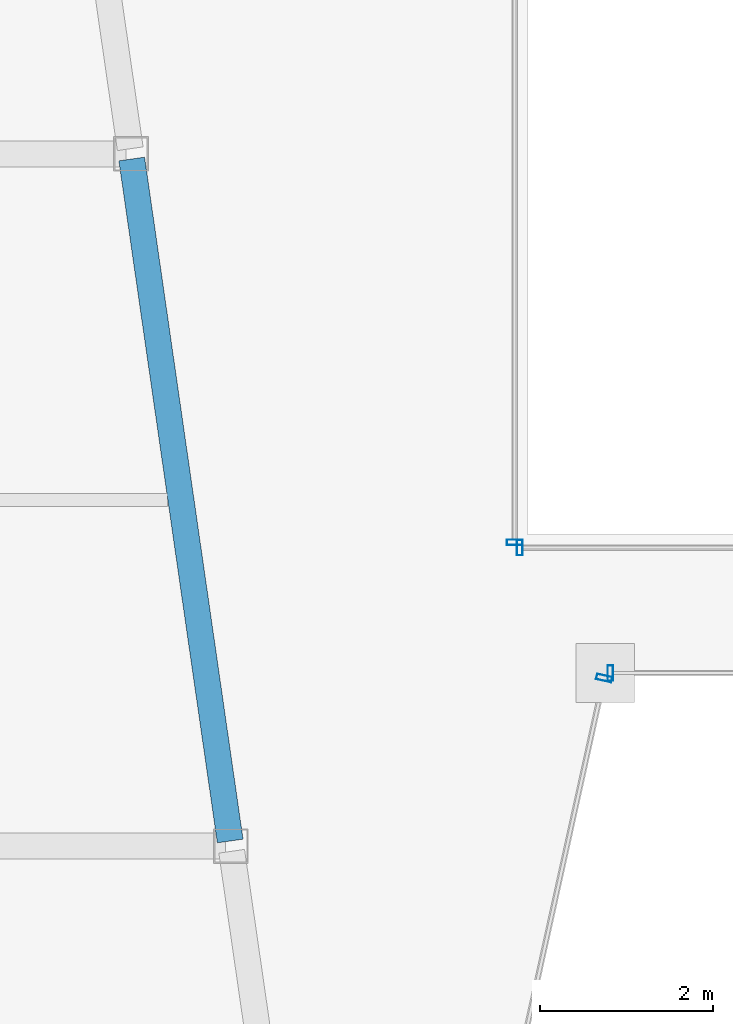
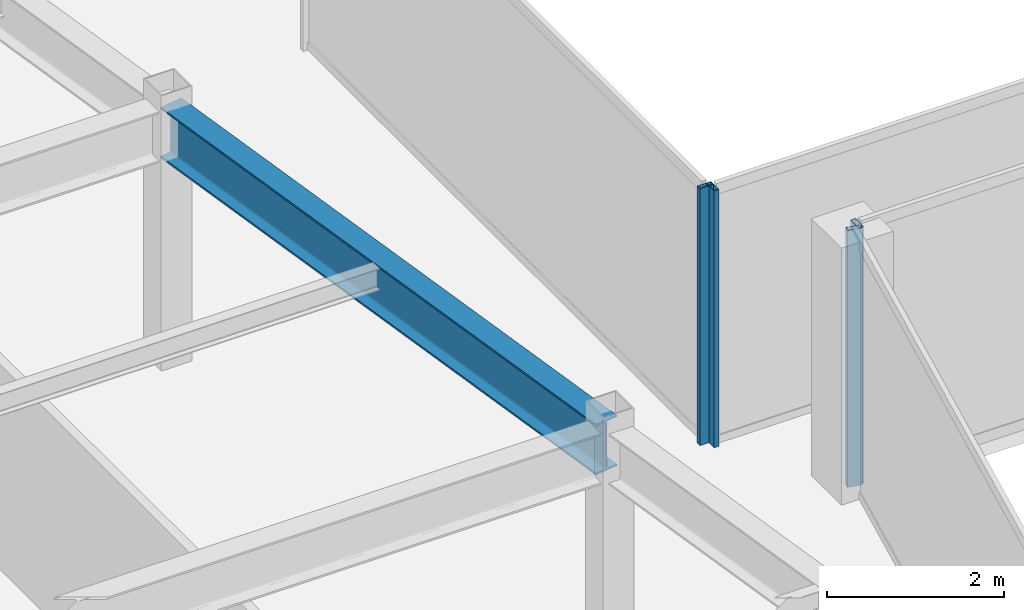
# One storey, part 7 of 35: 4 members, 1 beam, 4 elements without a shape of their own.
"""IFC4 building model written with IfcOpenShell, lengths in metres."""

from ifc_helpers import new_model, si_unit, direction, frame, origin, origin_2d, place, context, subcontext, project, spatial, hollow_rectangle, i_section, extrude, material, material_profile, profile_set, type_object, element, aggregate, save


model = new_model("IFC4")

# Units and contexts
model_context = context("Model", 3, precision=1e-05, world=origin(), true_north=direction((0.0, 1.0)))
body_context = subcontext(model_context, "Body", "Model", "MODEL_VIEW")
ifc_project = project(units=[si_unit("LENGTHUNIT", "METRE"), si_unit("AREAUNIT", "SQUARE_METRE"), si_unit("VOLUMEUNIT", "CUBIC_METRE"), si_unit("PLANEANGLEUNIT", "RADIAN"), si_unit("MASSUNIT", "GRAM", prefix="KILO")], contexts=[model_context])

# Site, building, storey
site_placement = place(None, origin())
site = spatial("IfcSite", under=ifc_project, at=site_placement, CompositionType="ELEMENT")
building_placement = place(site_placement, origin())
building = spatial("IfcBuilding", under=site, at=building_placement, Name="Saevonmaru Cultural Tower", CompositionType="ELEMENT")
storey_placement = place(building_placement, frame((0.0, 0.0, 217.0)))
storey = spatial("IfcBuildingStorey", under=building, at=storey_placement, Name="L50", CompositionType="ELEMENT", Elevation=217.0)

# Beam
ifc_material_1 = material(Name="Steel SM355", Category="steel")
ifc_material_profile_1 = material_profile(ifc_material_1, i_section(OverallWidth=0.300048828125, OverallDepth=0.699951171875, WebThickness=0.012939453125, FlangeThickness=0.02392578125, FilletRadius=0.02587890625, at=origin_2d()), Name="H-700x300x13x24")
ifc_profile_set_1 = profile_set([ifc_material_profile_1], Name="Steel SM355")
beam_type = type_object("IfcBeamType", Name="BM-G-H700", PredefinedType="BEAM", material=ifc_profile_set_1)
beam_placement = place(storey_placement, frame((20.763427734375, 24.059326171875, 3.199951171875), z_axis=(-0.142902032203, 0.989736838353, 0.0), x_axis=(-0.989736838353, -0.142902032203, 0.0)))
element("IfcBeam", 1, at=beam_placement, inside=storey, type_object=beam_type, Name="L50 West Atrium Girder 2", PredefinedType="BEAM", context=body_context, shape_type="SweptSolid", body=[
    extrude(i_section(OverallWidth=0.300048828125, OverallDepth=0.699951171875, WebThickness=0.012939453125, FlangeThickness=0.02392578125, FilletRadius=0.02587890625, at=origin_2d()), origin(), (0.0, 0.0, 1.0), 7.963134765625),
])

# Curtain wall, member
ifc_material_2 = material(Name="Satin Bronze Anodised Aluminium", Category="aluminium")
curtain_wall_type_1 = type_object("IfcCurtainWallType", Name="CW-TYP-B", PredefinedType="NOTDEFINED", material=ifc_material_2)
curtain_wall_1_placement = place(storey_placement, origin())
curtain_wall_1 = element("IfcCurtainWall", 2, at=curtain_wall_1_placement, inside=storey, type_object=curtain_wall_type_1, Name="L50 Unitised Curtain Wall E3", PredefinedType="NOTDEFINED")
ifc_material_profile_2 = material_profile(ifc_material_2, hollow_rectangle(XDim=0.06494140625, YDim=0.179931640625, WallThickness=0.00390625, at=origin_2d()), Name="ALU-MULL-180x65x4")
ifc_profile_set_2 = profile_set([ifc_material_profile_2], Name="Satin Bronze Anodised Aluminium")
member_type_1 = type_object("IfcMemberType", Name="ML-CW-180x65", PredefinedType="MULLION", material=ifc_profile_set_2)
member_1_placement = place(storey_placement, frame((25.0849609375, 25.94140625, 0.0), z_axis=(0.0, 0.0, 1.0), x_axis=(0.215413319953, 0.976522965212, 0.0)))
member_1 = element("IfcMember", 3, at=member_1_placement, type_object=member_type_1, Name="CW-TW-L50-E3 mullion 2", PredefinedType="MULLION", context=body_context, shape_type="SweptSolid", body=[
    extrude(hollow_rectangle(XDim=0.06494140625, YDim=0.179931640625, WallThickness=0.00390625, at=origin_2d()), origin(), (0.0, 0.0, 1.0), 3.550048828125),
])
aggregate(curtain_wall_1, [member_1])

curtain_wall_2_placement = place(storey_placement, origin())
curtain_wall_2 = element("IfcCurtainWall", 4, at=curtain_wall_2_placement, inside=storey, type_object=curtain_wall_type_1, Name="L50 Unitised Curtain Wall E4", PredefinedType="NOTDEFINED")
member_2_placement = place(storey_placement, frame((25.15771484375, 26.0, 0.0), z_axis=(0.0, 0.0, 1.0), x_axis=(1.0, 0.0, 0.0)))
member_2 = element("IfcMember", 5, at=member_2_placement, type_object=member_type_1, Name="CW-TW-L50-E4 mullion 1", PredefinedType="MULLION", context=body_context, shape_type="SweptSolid", body=[
    extrude(hollow_rectangle(XDim=0.06494140625, YDim=0.179931640625, WallThickness=0.00390625, at=origin_2d()), origin(), (0.0, 0.0, 1.0), 3.550048828125),
])
aggregate(curtain_wall_2, [member_2])

curtain_wall_type_2 = type_object("IfcCurtainWallType", Name="CW-ATR-GLZ", PredefinedType="NOTDEFINED", material=ifc_material_2)
curtain_wall_3_placement = place(storey_placement, origin())
curtain_wall_3 = element("IfcCurtainWall", 6, at=curtain_wall_3_placement, inside=storey, type_object=curtain_wall_type_2, Name="L50 Vertical Atrium Glazed Smoke Screen 1", PredefinedType="NOTDEFINED")
ifc_material_profile_3 = material_profile(ifc_material_2, hollow_rectangle(XDim=0.06494140625, YDim=0.179931640625, WallThickness=0.00390625, at=origin_2d()), Name="ALU-MULL-180x65x4")
ifc_profile_set_3 = profile_set([ifc_material_profile_3], Name="Satin Bronze Anodised Aluminium")
member_type_2 = type_object("IfcMemberType", Name="ML-CW-INT-180x65", PredefinedType="MULLION", material=ifc_profile_set_3)
member_3_placement = place(storey_placement, frame((24.110107421875, 27.449951171875, 0.0), z_axis=(0.0, 0.0, 1.0), x_axis=(1.0, 0.0, 0.0)))
member_3 = element("IfcMember", 7, at=member_3_placement, type_object=member_type_2, Name="CW-ATR-L50-1 mullion 1", PredefinedType="MULLION", context=body_context, shape_type="SweptSolid", body=[
    extrude(hollow_rectangle(XDim=0.06494140625, YDim=0.179931640625, WallThickness=0.00390625, at=origin_2d()), origin(), (0.0, 0.0, 1.0), 3.550048828125),
])
aggregate(curtain_wall_3, [member_3])

curtain_wall_4_placement = place(storey_placement, origin())
curtain_wall_4 = element("IfcCurtainWall", 8, at=curtain_wall_4_placement, inside=storey, type_object=curtain_wall_type_2, Name="L50 Vertical Atrium Glazed Smoke Screen 4", PredefinedType="NOTDEFINED")
member_4_placement = place(storey_placement, frame((24.050048828125, 27.510009765625, 0.0), z_axis=(0.0, 0.0, 1.0), x_axis=(0.0, -1.0, 0.0)))
member_4 = element("IfcMember", 9, at=member_4_placement, type_object=member_type_2, Name="CW-ATR-L50-4 mullion 2", PredefinedType="MULLION", context=body_context, shape_type="SweptSolid", body=[
    extrude(hollow_rectangle(XDim=0.06494140625, YDim=0.179931640625, WallThickness=0.00390625, at=origin_2d()), origin(), (0.0, 0.0, 1.0), 3.550048828125),
])
aggregate(curtain_wall_4, [member_4])

save(model, "model.ifc")
